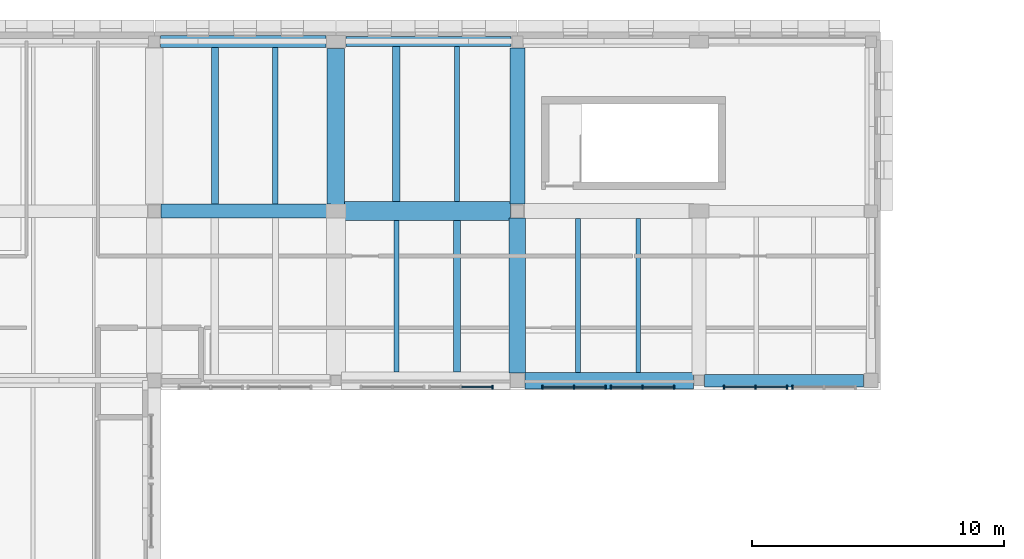
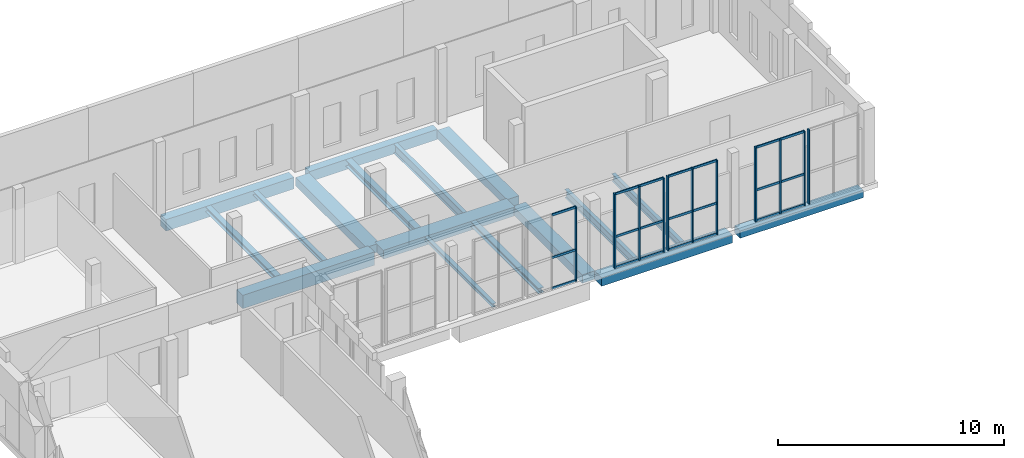
# One storey, part 12 of 34: 32 members, 17 beams, 5 elements without a shape of their own.
"""IFC4 building model written with IfcOpenShell, lengths in metres."""

from ifc_helpers import new_model, si_unit, direction, frame, origin, origin_2d, place, context, subcontext, project, spatial, rectangle, i_section, extrude, material, layer, layer_set, material_profile, profile_set, type_object, element, aggregate, save


model = new_model("IFC4")

# Units and contexts
model_context = context("Model", 3, precision=1e-05, world=origin(), true_north=direction((0.0, 1.0)))
body_context = subcontext(model_context, "Body", "Model", "MODEL_VIEW")
ifc_project = project(units=[si_unit("LENGTHUNIT", "METRE"), si_unit("AREAUNIT", "SQUARE_METRE"), si_unit("VOLUMEUNIT", "CUBIC_METRE"), si_unit("PLANEANGLEUNIT", "RADIAN"), si_unit("MASSUNIT", "GRAM", prefix="KILO")], contexts=[model_context])

# Site, building, storey
site_placement = place(None, origin())
site = spatial("IfcSite", under=ifc_project, at=site_placement, CompositionType="ELEMENT")
building_placement = place(site_placement, origin())
building = spatial("IfcBuilding", under=site, at=building_placement, Name="Vardoun Plaza Health Centre", CompositionType="ELEMENT")
storey_placement = place(building_placement, frame((0.0, 0.0, 12.89990234375)))
storey = spatial("IfcBuildingStorey", under=building, at=storey_placement, Name="L03", CompositionType="ELEMENT", Elevation=12.89990234375)

# Beams
ifc_material_1 = material(Name="Concrete C35/45", Category="concrete")
ifc_material_profile_1 = material_profile(ifc_material_1, rectangle(XDim=0.39990234375, YDim=0.550048828125, at=origin_2d()), Name="RC-BM 400x550")
ifc_profile_set_1 = profile_set([ifc_material_profile_1], Name="Concrete C35/45")
beam_type_1 = type_object("IfcBeamType", Name="B-09", PredefinedType="SPANDREL", material=ifc_profile_set_1)
beam_1_placement = place(storey_placement, frame((26.5, 114.919921875, -0.539794921875), z_axis=(1.0, 0.0, 0.0), x_axis=(0.0, 1.0, 0.0)))
element("IfcBeam", 1, at=beam_1_placement, inside=storey, type_object=beam_type_1, Name="V3 L03 Beam B-V3-L03-X18", PredefinedType="SPANDREL", context=body_context, shape_type="SweptSolid", body=[
    extrude(rectangle(XDim=0.39990234375, YDim=0.550048828125, at=origin_2d()), origin(), (0.0, 0.0, 1.0), 6.550048828125),
])
ifc_material_2 = material(Name="Concrete C35/45", Category="concrete")
ifc_material_profile_2 = material_profile(ifc_material_2, rectangle(XDim=0.47998046875, YDim=0.6201171875, at=origin_2d()), Name="RC-BM 480x620")
ifc_profile_set_2 = profile_set([ifc_material_profile_2], Name="Concrete C35/45")
beam_type_2 = type_object("IfcBeamType", Name="B-12", PredefinedType="SPANDREL", material=ifc_profile_set_2)
beam_2_placement = place(storey_placement, frame((19.14990234375, 114.919921875, -0.574951171875), z_axis=(1.0, 0.0, 0.0), x_axis=(0.0, 1.0, 0.0)))
element("IfcBeam", 2, at=beam_2_placement, inside=storey, type_object=beam_type_2, Name="V3 L03 Beam B-V3-L03-X15", PredefinedType="SPANDREL", context=body_context, shape_type="SweptSolid", body=[
    extrude(rectangle(XDim=0.47998046875, YDim=0.6201171875, at=origin_2d()), origin(), (0.0, 0.0, 1.0), 6.550048828125),
])
ifc_material_3 = material(Name="Concrete C35/45", Category="concrete")
ifc_material_profile_3 = material_profile(ifc_material_3, rectangle(XDim=0.5, YDim=0.39990234375, at=origin_2d()), Name="RC-BM 500x400")
ifc_profile_set_3 = profile_set([ifc_material_profile_3], Name="Concrete C35/45")
beam_type_3 = type_object("IfcBeamType", Name="B-02", PredefinedType="BEAM", material=ifc_profile_set_3)
beam_3_placement = place(storey_placement, frame((40.72509765625, 101.47998046875, -0.46484375), z_axis=(1.0, 0.0, 0.0), x_axis=(0.0, 1.0, 0.0)))
element("IfcBeam", 3, at=beam_3_placement, inside=storey, type_object=beam_type_3, Name="V3 L03 Beam B-V3-L03-X22", PredefinedType="BEAM", context=body_context, shape_type="SweptSolid", body=[
    extrude(rectangle(XDim=0.5, YDim=0.39990234375, at=origin_2d()), origin(), (0.0, 0.0, 1.0), 6.294921875),
])
ifc_material_4 = material(Name="Concrete C40/50", Category="concrete")
ifc_material_profile_4 = material_profile(ifc_material_4, rectangle(XDim=0.550048828125, YDim=0.719970703125, at=origin_2d()), Name="RC-BM 550x720")
ifc_profile_set_4 = profile_set([ifc_material_profile_4], Name="Concrete C40/50")
beam_type_4 = type_object("IfcBeamType", Name="B-14", PredefinedType="BEAM", material=ifc_profile_set_4)
beam_4_placement = place(storey_placement, frame((19.175048828125, 108.199951171875, -0.625), z_axis=(1.0, 0.0, 0.0), x_axis=(0.0, 1.0, 0.0)))
element("IfcBeam", 4, at=beam_4_placement, inside=storey, type_object=beam_type_4, Name="V3 L03 Beam B-V3-L03-X14", PredefinedType="BEAM", context=body_context, shape_type="SweptSolid", body=[
    extrude(rectangle(XDim=0.550048828125, YDim=0.719970703125, at=origin_2d()), origin(), (0.0, 0.0, 1.0), 6.724853515625),
])
ifc_material_5 = material(Name="Concrete C35/45", Category="concrete")
ifc_material_profile_5 = material_profile(ifc_material_5, rectangle(XDim=0.60009765625, YDim=0.449951171875, at=origin_2d()), Name="RC-BM 600x450")
ifc_profile_set_5 = profile_set([ifc_material_profile_5], Name="Concrete C35/45")
beam_type_5 = type_object("IfcBeamType", Name="B-04", PredefinedType="BEAM", material=ifc_profile_set_5)
beam_5_placement = place(storey_placement, frame((33.300048828125, 108.47509765625, -0.489990234375), z_axis=(0.0, 1.0, 0.0), x_axis=(-1.0, 0.0, 0.0)))
element("IfcBeam", 5, at=beam_5_placement, inside=storey, type_object=beam_type_5, Name="V3 L03 Beam B-V3-L03-Y42", PredefinedType="BEAM", context=body_context, shape_type="SweptSolid", body=[
    extrude(rectangle(XDim=0.60009765625, YDim=0.449951171875, at=origin_2d()), origin(), (0.0, 0.0, 1.0), 6.19482421875),
])
ifc_material_6 = material(Name="Concrete C35/45", Category="concrete")
ifc_material_profile_6 = material_profile(ifc_material_6, rectangle(XDim=0.64990234375, YDim=0.449951171875, at=origin_2d()), Name="RC-BM 650x450")
ifc_profile_set_6 = profile_set([ifc_material_profile_6], Name="Concrete C35/45")
beam_type_6 = type_object("IfcBeamType", Name="B-05", PredefinedType="BEAM", material=ifc_profile_set_6)
beam_6_placement = place(storey_placement, frame((33.60009765625, 101.47998046875, -0.489990234375), z_axis=(1.0, 0.0, 0.0), x_axis=(0.0, 1.0, 0.0)))
element("IfcBeam", 6, at=beam_6_placement, inside=storey, type_object=beam_type_6, Name="V3 L03 Beam B-V3-L03-X19", PredefinedType="BEAM", context=body_context, shape_type="SweptSolid", body=[
    extrude(rectangle(XDim=0.64990234375, YDim=0.449951171875, at=origin_2d()), origin(), (0.0, 0.0, 1.0), 6.675048828125),
])
beam_7_placement = place(storey_placement, frame((33.300048828125, 101.780029296875, -0.489990234375), z_axis=(0.0, 1.0, 0.0), x_axis=(-1.0, 0.0, 0.0)))
element("IfcBeam", 7, at=beam_7_placement, inside=storey, type_object=beam_type_6, Name="V3 L03 Beam B-V3-L03-Y41", PredefinedType="BEAM", context=body_context, shape_type="SweptSolid", body=[
    extrude(rectangle(XDim=0.64990234375, YDim=0.449951171875, at=origin_2d()), origin(), (0.0, 0.0, 1.0), 6.14501953125),
])
ifc_material_7 = material(Name="Concrete C35/45", Category="concrete")
ifc_material_profile_7 = material_profile(ifc_material_7, rectangle(XDim=0.699951171875, YDim=0.449951171875, at=origin_2d()), Name="RC-BM 700x450")
ifc_profile_set_7 = profile_set([ifc_material_profile_7], Name="Concrete C35/45")
beam_type_7 = type_object("IfcBeamType", Name="B-06", PredefinedType="BEAM", material=ifc_profile_set_7)
beam_8_placement = place(storey_placement, frame((26.10009765625, 108.400146484375, -0.489990234375), z_axis=(0.0, 1.0, 0.0), x_axis=(-1.0, 0.0, 0.0)))
element("IfcBeam", 8, at=beam_8_placement, inside=storey, type_object=beam_type_7, Name="V3 L03 Beam B-V3-L03-Y40", PredefinedType="BEAM", context=body_context, shape_type="SweptSolid", body=[
    extrude(rectangle(XDim=0.699951171875, YDim=0.449951171875, at=origin_2d()), origin(), (0.0, 0.0, 1.0), 6.244873046875),
])
ifc_material_8 = material(Name="Concrete C35/45", Category="concrete")
ifc_material_profile_8 = material_profile(ifc_material_8, rectangle(XDim=0.75, YDim=0.47998046875, at=origin_2d()), Name="RC-BM 750x480")
ifc_profile_set_8 = profile_set([ifc_material_profile_8], Name="Concrete C35/45")
beam_type_8 = type_object("IfcBeamType", Name="B-07", PredefinedType="BEAM", material=ifc_profile_set_8)
beam_9_placement = place(storey_placement, frame((26.300048828125, 108.199951171875, -0.5048828125), z_axis=(1.0, 0.0, 0.0), x_axis=(0.0, 1.0, 0.0)))
element("IfcBeam", 9, at=beam_9_placement, inside=storey, type_object=beam_type_8, Name="V3 L03 Beam B-V3-L03-X17", PredefinedType="BEAM", context=body_context, shape_type="SweptSolid", body=[
    extrude(rectangle(XDim=0.75, YDim=0.47998046875, at=origin_2d()), origin(), (0.0, 0.0, 1.0), 6.72509765625),
])
ifc_material_9 = material(Name="Steel S355J2", Category="steel")
ifc_material_profile_9 = material_profile(ifc_material_9, i_section(OverallWidth=0.199951171875, OverallDepth=0.18994140625, WebThickness=0.006591796875, FlangeThickness=0.010009765625, FilletRadius=0.01806640625, at=origin_2d()), Name="HEA 200")
ifc_profile_set_9 = profile_set([ifc_material_profile_9], Name="Steel S355J2")
beam_type_9 = type_object("IfcBeamType", Name="SB-09", PredefinedType="BEAM", material=ifc_profile_set_9)
beam_10_placement = place(storey_placement, frame((28.499755859375, 101.830078125, -0.35986328125), z_axis=(0.0, 1.0, 0.0), x_axis=(-1.0, 0.0, 0.0)))
element("IfcBeam", 10, at=beam_10_placement, inside=storey, type_object=beam_type_9, Name="V3 L03 Secondary Floor Beam SJ-V3-L03-21", PredefinedType="BEAM", context=body_context, shape_type="SweptSolid", body=[
    extrude(i_section(OverallWidth=0.199951171875, OverallDepth=0.18994140625, WebThickness=0.006591796875, FlangeThickness=0.010009765625, FilletRadius=0.01806640625, at=origin_2d()), origin(), (0.0, 0.0, 1.0), 5.994873046875),
])
ifc_material_10 = material(Name="Steel S355J2", Category="steel")
ifc_material_profile_10 = material_profile(ifc_material_10, i_section(OverallWidth=0.219970703125, OverallDepth=0.2099609375, WebThickness=0.007080078125, FlangeThickness=0.010986328125, FilletRadius=0.01806640625, at=origin_2d()), Name="HEA 220")
ifc_profile_set_10 = profile_set([ifc_material_profile_10], Name="Steel S355J2")
beam_type_10 = type_object("IfcBeamType", Name="SB-08", PredefinedType="BEAM", material=ifc_profile_set_10)
beam_11_placement = place(storey_placement, frame((23.7001953125, 108.47509765625, -0.369873046875), z_axis=(0.0, 1.0, 0.0), x_axis=(-1.0, 0.0, 0.0)))
element("IfcBeam", 11, at=beam_11_placement, inside=storey, type_object=beam_type_10, Name="V3 L03 Secondary Floor Beam SJ-V3-L03-20", PredefinedType="BEAM", context=body_context, shape_type="SweptSolid", body=[
    extrude(i_section(OverallWidth=0.219970703125, OverallDepth=0.2099609375, WebThickness=0.007080078125, FlangeThickness=0.010986328125, FilletRadius=0.01806640625, at=origin_2d()), origin(), (0.0, 0.0, 1.0), 6.204833984375),
])
ifc_material_11 = material(Name="Steel S355J2", Category="steel")
ifc_material_profile_11 = material_profile(ifc_material_11, i_section(OverallWidth=0.280029296875, OverallDepth=0.27001953125, WebThickness=0.008056640625, FlangeThickness=0.012939453125, FilletRadius=0.02392578125, at=origin_2d()), Name="HEA 280")
ifc_profile_set_11 = profile_set([ifc_material_profile_11], Name="Steel S355J2")
beam_type_11 = type_object("IfcBeamType", Name="SB-06", PredefinedType="BEAM", material=ifc_profile_set_11)
beam_12_placement = place(storey_placement, frame((21.2998046875, 108.47509765625, -0.39990234375), z_axis=(0.0, 1.0, 0.0), x_axis=(-1.0, 0.0, 0.0)))
element("IfcBeam", 12, at=beam_12_placement, inside=storey, type_object=beam_type_11, Name="V3 L03 Secondary Floor Beam SJ-V3-L03-18", PredefinedType="BEAM", context=body_context, shape_type="SweptSolid", body=[
    extrude(i_section(OverallWidth=0.280029296875, OverallDepth=0.27001953125, WebThickness=0.008056640625, FlangeThickness=0.012939453125, FilletRadius=0.02392578125, at=origin_2d()), origin(), (0.0, 0.0, 1.0), 6.204833984375),
])
ifc_material_12 = material(Name="Steel S355J2", Category="steel")
ifc_material_profile_12 = material_profile(ifc_material_12, i_section(OverallWidth=0.280029296875, OverallDepth=0.280029296875, WebThickness=0.010498046875, FlangeThickness=0.01806640625, FilletRadius=0.02392578125, at=origin_2d()), Name="HEB 280")
ifc_profile_set_12 = profile_set([ifc_material_profile_12], Name="Steel S355J2")
beam_type_12 = type_object("IfcBeamType", Name="SB-02", PredefinedType="BEAM", material=ifc_profile_set_12)
beam_13_placement = place(storey_placement, frame((30.900146484375, 101.830078125, -0.40478515625), z_axis=(0.0, 1.0, 0.0), x_axis=(-1.0, 0.0, 0.0)))
element("IfcBeam", 13, at=beam_13_placement, inside=storey, type_object=beam_type_12, Name="V3 L03 Secondary Floor Beam SJ-V3-L03-23", PredefinedType="BEAM", context=body_context, shape_type="SweptSolid", body=[
    extrude(i_section(OverallWidth=0.280029296875, OverallDepth=0.280029296875, WebThickness=0.010498046875, FlangeThickness=0.01806640625, FilletRadius=0.02392578125, at=origin_2d()), origin(), (0.0, 0.0, 1.0), 5.994873046875),
])
ifc_material_13 = material(Name="Steel S355J2", Category="steel")
ifc_material_profile_13 = material_profile(ifc_material_13, i_section(OverallWidth=0.300048828125, OverallDepth=0.360107421875, WebThickness=0.012451171875, FlangeThickness=0.0224609375, FilletRadius=0.027099609375, at=origin_2d()), Name="HEB 360")
ifc_profile_set_13 = profile_set([ifc_material_profile_13], Name="Steel S355J2")
beam_type_13 = type_object("IfcBeamType", Name="RB-04", PredefinedType="BEAM", material=ifc_profile_set_13)
beam_14_placement = place(storey_placement, frame((28.499755859375, 108.574951171875, -0.44482421875), z_axis=(0.0, 1.0, 0.0), x_axis=(-1.0, 0.0, 0.0)))
element("IfcBeam", 14, at=beam_14_placement, inside=storey, type_object=beam_type_13, Name="V3 L03 Secondary Floor Beam SJ-V3-L03-22", PredefinedType="BEAM", context=body_context, shape_type="SweptSolid", body=[
    extrude(i_section(OverallWidth=0.300048828125, OverallDepth=0.360107421875, WebThickness=0.012451171875, FlangeThickness=0.0224609375, FilletRadius=0.027099609375, at=origin_2d()), origin(), (0.0, 0.0, 1.0), 6.14501953125),
])
ifc_material_14 = material(Name="Steel S355J2", Category="steel")
ifc_material_profile_14 = material_profile(ifc_material_14, i_section(OverallWidth=0.179931640625, OverallDepth=0.39990234375, WebThickness=0.008544921875, FlangeThickness=0.013427734375, FilletRadius=0.02099609375, at=origin_2d()), Name="IPE 400")
ifc_profile_set_14 = profile_set([ifc_material_profile_14], Name="Steel S355J2")
beam_type_14 = type_object("IfcBeamType", Name="SB-12", PredefinedType="BEAM", material=ifc_profile_set_14)
beam_15_placement = place(storey_placement, frame((38.10009765625, 101.804931640625, -0.46484375), z_axis=(0.0, 1.0, 0.0), x_axis=(-1.0, 0.0, 0.0)))
element("IfcBeam", 15, at=beam_15_placement, inside=storey, type_object=beam_type_14, Name="V3 L03 Secondary Floor Beam SJ-V3-L03-26", PredefinedType="BEAM", context=body_context, shape_type="SweptSolid", body=[
    extrude(i_section(OverallWidth=0.179931640625, OverallDepth=0.39990234375, WebThickness=0.008544921875, FlangeThickness=0.013427734375, FilletRadius=0.02099609375, at=origin_2d()), origin(), (0.0, 0.0, 1.0), 6.09521484375),
])
ifc_material_15 = material(Name="Steel S355J2", Category="steel")
ifc_material_profile_15 = material_profile(ifc_material_15, i_section(OverallWidth=0.18994140625, OverallDepth=0.449951171875, WebThickness=0.009521484375, FlangeThickness=0.0146484375, FilletRadius=0.02099609375, at=origin_2d()), Name="IPE 450")
ifc_profile_set_15 = profile_set([ifc_material_profile_15], Name="Steel S355J2")
beam_type_15 = type_object("IfcBeamType", Name="SB-11", PredefinedType="BEAM", material=ifc_profile_set_15)
beam_16_placement = place(storey_placement, frame((35.69970703125, 101.804931640625, -0.489990234375), z_axis=(0.0, 1.0, 0.0), x_axis=(-1.0, 0.0, 0.0)))
element("IfcBeam", 16, at=beam_16_placement, inside=storey, type_object=beam_type_15, Name="V3 L03 Secondary Floor Beam SJ-V3-L03-25", PredefinedType="BEAM", context=body_context, shape_type="SweptSolid", body=[
    extrude(i_section(OverallWidth=0.18994140625, OverallDepth=0.449951171875, WebThickness=0.009521484375, FlangeThickness=0.0146484375, FilletRadius=0.02099609375, at=origin_2d()), origin(), (0.0, 0.0, 1.0), 6.09521484375),
])
ifc_material_16 = material(Name="Steel S355J2", Category="steel")
ifc_material_profile_16 = material_profile(ifc_material_16, i_section(OverallWidth=0.199951171875, OverallDepth=0.5, WebThickness=0.01025390625, FlangeThickness=0.01611328125, FilletRadius=0.02099609375, at=origin_2d()), Name="IPE 500")
ifc_profile_set_16 = profile_set([ifc_material_profile_16], Name="Steel S355J2")
beam_type_16 = type_object("IfcBeamType", Name="SB-10", PredefinedType="BEAM", material=ifc_profile_set_16)
beam_17_placement = place(storey_placement, frame((30.900146484375, 108.574951171875, -0.514892578125), z_axis=(0.0, 1.0, 0.0), x_axis=(-1.0, 0.0, 0.0)))
element("IfcBeam", 17, at=beam_17_placement, inside=storey, type_object=beam_type_16, Name="V3 L03 Secondary Floor Beam SJ-V3-L03-24", PredefinedType="BEAM", context=body_context, shape_type="SweptSolid", body=[
    extrude(i_section(OverallWidth=0.199951171875, OverallDepth=0.5, WebThickness=0.01025390625, FlangeThickness=0.01611328125, FilletRadius=0.02099609375, at=origin_2d()), origin(), (0.0, 0.0, 1.0), 6.14501953125),
])

# Curtain wall, member
ifc_material_17 = material(Name="Aluminium Alloy EN AW-6063-T6 and Low-E Glass", Category="aluminium")
ifc_layer = layer(ifc_material_17, 0.159912109375)
ifc_layer_set = layer_set([ifc_layer], Name="Aluminium Alloy EN AW-6063-T6 and Low-E Glass")
curtain_wall_type = type_object("IfcCurtainWallType", Name="CW-02", PredefinedType="USERDEFINED", material=ifc_layer_set)
curtain_wall_1_placement = place(storey_placement, origin())
curtain_wall_1 = element("IfcCurtainWall", 18, at=curtain_wall_1_placement, inside=storey, type_object=curtain_wall_type, Name="Curtain Wall CW-V3-087", ObjectType="COURTYARD_CURTAIN_WALL", PredefinedType="USERDEFINED")
ifc_material_18 = material(Name="Aluminium Alloy EN AW-6063-T6", Category="aluminium")
ifc_material_profile_17 = material_profile(ifc_material_18, rectangle(XDim=0.159912109375, YDim=0.06005859375, at=origin_2d()), Name="CWM 60x160")
ifc_profile_set_17 = profile_set([ifc_material_profile_17], Name="Aluminium Alloy EN AW-6063-T6")
member_type_1 = type_object("IfcMemberType", Name="CW-M1", PredefinedType="MULLION", material=ifc_profile_set_17)
member_1_placement = place(storey_placement, frame((44.2099609375, 101.219970703125, 0.0), z_axis=(0.0, 0.0, 1.0), x_axis=(0.0, -1.0, 0.0)))
member_1 = element("IfcMember", 19, at=member_1_placement, type_object=member_type_1, Name="CW-V3-087 mullion 3", PredefinedType="MULLION", context=body_context, shape_type="SweptSolid", body=[
    extrude(rectangle(XDim=0.159912109375, YDim=0.06005859375, at=origin_2d()), origin(), (0.0, 0.0, 1.0), 4.01513671875),
])
aggregate(curtain_wall_1, [member_1])

# Curtain wall, members
curtain_wall_2_placement = place(storey_placement, origin())
curtain_wall_2 = element("IfcCurtainWall", 20, at=curtain_wall_2_placement, inside=storey, type_object=curtain_wall_type, Name="Curtain Wall CW-V3-088", ObjectType="COURTYARD_CURTAIN_WALL", PredefinedType="USERDEFINED")
member_2_placement = place(storey_placement, frame((43.989990234375, 101.219970703125, 0.0), z_axis=(0.0, 0.0, 1.0), x_axis=(0.0, -1.0, 0.0)))
member_2 = element("IfcMember", 21, at=member_2_placement, type_object=member_type_1, Name="CW-V3-088 mullion 1", PredefinedType="MULLION", context=body_context, shape_type="SweptSolid", body=[
    extrude(rectangle(XDim=0.159912109375, YDim=0.06005859375, at=origin_2d()), origin(), (0.0, 0.0, 1.0), 4.01513671875),
])
member_3_placement = place(storey_placement, frame((42.739990234375, 101.219970703125, 0.0), z_axis=(0.0, 0.0, 1.0), x_axis=(0.0, -1.0, 0.0)))
member_3 = element("IfcMember", 22, at=member_3_placement, type_object=member_type_1, Name="CW-V3-088 mullion 2", PredefinedType="MULLION", context=body_context, shape_type="SweptSolid", body=[
    extrude(rectangle(XDim=0.159912109375, YDim=0.06005859375, at=origin_2d()), origin(), (0.0, 0.0, 1.0), 4.01513671875),
])
member_4_placement = place(storey_placement, frame((41.489990234375, 101.219970703125, 0.0), z_axis=(0.0, 0.0, 1.0), x_axis=(0.0, -1.0, 0.0)))
member_4 = element("IfcMember", 23, at=member_4_placement, type_object=member_type_1, Name="CW-V3-088 mullion 3", PredefinedType="MULLION", context=body_context, shape_type="SweptSolid", body=[
    extrude(rectangle(XDim=0.159912109375, YDim=0.06005859375, at=origin_2d()), origin(), (0.0, 0.0, 1.0), 4.01513671875),
])

curtain_wall_3_placement = place(storey_placement, origin())
curtain_wall_3 = element("IfcCurtainWall", 24, at=curtain_wall_3_placement, inside=storey, type_object=curtain_wall_type, Name="Curtain Wall CW-V3-089", ObjectType="COURTYARD_CURTAIN_WALL", PredefinedType="USERDEFINED")
member_5_placement = place(storey_placement, frame((39.510009765625, 101.219970703125, 0.0), z_axis=(0.0, 0.0, 1.0), x_axis=(0.0, -1.0, 0.0)))
member_5 = element("IfcMember", 25, at=member_5_placement, type_object=member_type_1, Name="CW-V3-089 mullion 1", PredefinedType="MULLION", context=body_context, shape_type="SweptSolid", body=[
    extrude(rectangle(XDim=0.159912109375, YDim=0.06005859375, at=origin_2d()), origin(), (0.0, 0.0, 1.0), 4.01513671875),
])
member_6_placement = place(storey_placement, frame((38.260009765625, 101.219970703125, 0.0), z_axis=(0.0, 0.0, 1.0), x_axis=(0.0, -1.0, 0.0)))
member_6 = element("IfcMember", 26, at=member_6_placement, type_object=member_type_1, Name="CW-V3-089 mullion 2", PredefinedType="MULLION", context=body_context, shape_type="SweptSolid", body=[
    extrude(rectangle(XDim=0.159912109375, YDim=0.06005859375, at=origin_2d()), origin(), (0.0, 0.0, 1.0), 4.01513671875),
])
member_7_placement = place(storey_placement, frame((37.010009765625, 101.219970703125, 0.0), z_axis=(0.0, 0.0, 1.0), x_axis=(0.0, -1.0, 0.0)))
member_7 = element("IfcMember", 27, at=member_7_placement, type_object=member_type_1, Name="CW-V3-089 mullion 3", PredefinedType="MULLION", context=body_context, shape_type="SweptSolid", body=[
    extrude(rectangle(XDim=0.159912109375, YDim=0.06005859375, at=origin_2d()), origin(), (0.0, 0.0, 1.0), 4.01513671875),
])

curtain_wall_4_placement = place(storey_placement, origin())
curtain_wall_4 = element("IfcCurtainWall", 28, at=curtain_wall_4_placement, inside=storey, type_object=curtain_wall_type, Name="Curtain Wall CW-V3-090", ObjectType="COURTYARD_CURTAIN_WALL", PredefinedType="USERDEFINED")
member_8_placement = place(storey_placement, frame((36.7900390625, 101.219970703125, 0.0), z_axis=(0.0, 0.0, 1.0), x_axis=(0.0, -1.0, 0.0)))
member_8 = element("IfcMember", 29, at=member_8_placement, type_object=member_type_1, Name="CW-V3-090 mullion 1", PredefinedType="MULLION", context=body_context, shape_type="SweptSolid", body=[
    extrude(rectangle(XDim=0.159912109375, YDim=0.06005859375, at=origin_2d()), origin(), (0.0, 0.0, 1.0), 4.01513671875),
])
member_9_placement = place(storey_placement, frame((35.5400390625, 101.219970703125, 0.0), z_axis=(0.0, 0.0, 1.0), x_axis=(0.0, -1.0, 0.0)))
member_9 = element("IfcMember", 30, at=member_9_placement, type_object=member_type_1, Name="CW-V3-090 mullion 2", PredefinedType="MULLION", context=body_context, shape_type="SweptSolid", body=[
    extrude(rectangle(XDim=0.159912109375, YDim=0.06005859375, at=origin_2d()), origin(), (0.0, 0.0, 1.0), 4.01513671875),
])
member_10_placement = place(storey_placement, frame((34.2900390625, 101.219970703125, 0.0), z_axis=(0.0, 0.0, 1.0), x_axis=(0.0, -1.0, 0.0)))
member_10 = element("IfcMember", 31, at=member_10_placement, type_object=member_type_1, Name="CW-V3-090 mullion 3", PredefinedType="MULLION", context=body_context, shape_type="SweptSolid", body=[
    extrude(rectangle(XDim=0.159912109375, YDim=0.06005859375, at=origin_2d()), origin(), (0.0, 0.0, 1.0), 4.01513671875),
])

# Curtain wall, member
curtain_wall_5_placement = place(storey_placement, origin())
curtain_wall_5 = element("IfcCurtainWall", 32, at=curtain_wall_5_placement, inside=storey, type_object=curtain_wall_type, Name="Curtain Wall CW-V3-091", ObjectType="COURTYARD_CURTAIN_WALL", PredefinedType="USERDEFINED")
member_11_placement = place(storey_placement, frame((32.31005859375, 101.219970703125, 0.0), z_axis=(0.0, 0.0, 1.0), x_axis=(0.0, -1.0, 0.0)))
member_11 = element("IfcMember", 33, at=member_11_placement, type_object=member_type_1, Name="CW-V3-091 mullion 1", PredefinedType="MULLION", context=body_context, shape_type="SweptSolid", body=[
    extrude(rectangle(XDim=0.159912109375, YDim=0.06005859375, at=origin_2d()), origin(), (0.0, 0.0, 1.0), 4.01513671875),
])

# Member
ifc_material_19 = material(Name="Aluminium Alloy EN AW-6063-T6", Category="aluminium")
ifc_material_profile_18 = material_profile(ifc_material_19, rectangle(XDim=0.06005859375, YDim=0.1201171875, at=origin_2d()), Name="CWT 60x120")
ifc_profile_set_18 = profile_set([ifc_material_profile_18], Name="Aluminium Alloy EN AW-6063-T6")
member_type_2 = type_object("IfcMemberType", Name="CW-T1", PredefinedType="USERDEFINED", material=ifc_profile_set_18)
member_12_placement = place(storey_placement, frame((43.9599609375, 101.219970703125, 0.030029296875), z_axis=(-1.0, 0.0, 0.0), x_axis=(0.0, -1.0, 0.0)))
member_12 = element("IfcMember", 34, at=member_12_placement, type_object=member_type_2, Name="CW-V3-088 transom 1.1", ObjectType="TRANSOM", PredefinedType="USERDEFINED", context=body_context, shape_type="SweptSolid", body=[
    extrude(rectangle(XDim=0.06005859375, YDim=0.1201171875, at=origin_2d()), origin(), (0.0, 0.0, 1.0), 1.18994140625),
])

member_13_placement = place(storey_placement, frame((43.9599609375, 101.219970703125, 1.686279296875), z_axis=(-1.0, 0.0, 0.0), x_axis=(0.0, -1.0, 0.0)))
member_13 = element("IfcMember", 35, at=member_13_placement, type_object=member_type_2, Name="CW-V3-088 transom 1.2", ObjectType="TRANSOM", PredefinedType="USERDEFINED", context=body_context, shape_type="SweptSolid", body=[
    extrude(rectangle(XDim=0.06005859375, YDim=0.1201171875, at=origin_2d()), origin(), (0.0, 0.0, 1.0), 1.18994140625),
])

member_14_placement = place(storey_placement, frame((43.9599609375, 101.219970703125, 3.985107421875), z_axis=(-1.0, 0.0, 0.0), x_axis=(0.0, -1.0, 0.0)))
member_14 = element("IfcMember", 36, at=member_14_placement, type_object=member_type_2, Name="CW-V3-088 transom 1.3", ObjectType="TRANSOM", PredefinedType="USERDEFINED", context=body_context, shape_type="SweptSolid", body=[
    extrude(rectangle(XDim=0.06005859375, YDim=0.1201171875, at=origin_2d()), origin(), (0.0, 0.0, 1.0), 1.18994140625),
])

member_15_placement = place(storey_placement, frame((42.7099609375, 101.219970703125, 0.030029296875), z_axis=(-1.0, 0.0, 0.0), x_axis=(0.0, -1.0, 0.0)))
member_15 = element("IfcMember", 37, at=member_15_placement, type_object=member_type_2, Name="CW-V3-088 transom 2.1", ObjectType="TRANSOM", PredefinedType="USERDEFINED", context=body_context, shape_type="SweptSolid", body=[
    extrude(rectangle(XDim=0.06005859375, YDim=0.1201171875, at=origin_2d()), origin(), (0.0, 0.0, 1.0), 1.18994140625),
])

member_16_placement = place(storey_placement, frame((42.7099609375, 101.219970703125, 1.686279296875), z_axis=(-1.0, 0.0, 0.0), x_axis=(0.0, -1.0, 0.0)))
member_16 = element("IfcMember", 38, at=member_16_placement, type_object=member_type_2, Name="CW-V3-088 transom 2.2", ObjectType="TRANSOM", PredefinedType="USERDEFINED", context=body_context, shape_type="SweptSolid", body=[
    extrude(rectangle(XDim=0.06005859375, YDim=0.1201171875, at=origin_2d()), origin(), (0.0, 0.0, 1.0), 1.18994140625),
])

member_17_placement = place(storey_placement, frame((42.7099609375, 101.219970703125, 3.985107421875), z_axis=(-1.0, 0.0, 0.0), x_axis=(0.0, -1.0, 0.0)))
member_17 = element("IfcMember", 39, at=member_17_placement, type_object=member_type_2, Name="CW-V3-088 transom 2.3", ObjectType="TRANSOM", PredefinedType="USERDEFINED", context=body_context, shape_type="SweptSolid", body=[
    extrude(rectangle(XDim=0.06005859375, YDim=0.1201171875, at=origin_2d()), origin(), (0.0, 0.0, 1.0), 1.18994140625),
])

aggregate(curtain_wall_2, [member_2, member_3, member_4, member_12, member_13, member_14, member_15, member_16, member_17])

member_18_placement = place(storey_placement, frame((39.47998046875, 101.219970703125, 0.030029296875), z_axis=(-1.0, 0.0, 0.0), x_axis=(0.0, -1.0, 0.0)))
member_18 = element("IfcMember", 40, at=member_18_placement, type_object=member_type_2, Name="CW-V3-089 transom 1.1", ObjectType="TRANSOM", PredefinedType="USERDEFINED", context=body_context, shape_type="SweptSolid", body=[
    extrude(rectangle(XDim=0.06005859375, YDim=0.1201171875, at=origin_2d()), origin(), (0.0, 0.0, 1.0), 1.18994140625),
])

member_19_placement = place(storey_placement, frame((39.47998046875, 101.219970703125, 1.686279296875), z_axis=(-1.0, 0.0, 0.0), x_axis=(0.0, -1.0, 0.0)))
member_19 = element("IfcMember", 41, at=member_19_placement, type_object=member_type_2, Name="CW-V3-089 transom 1.2", ObjectType="TRANSOM", PredefinedType="USERDEFINED", context=body_context, shape_type="SweptSolid", body=[
    extrude(rectangle(XDim=0.06005859375, YDim=0.1201171875, at=origin_2d()), origin(), (0.0, 0.0, 1.0), 1.18994140625),
])

member_20_placement = place(storey_placement, frame((39.47998046875, 101.219970703125, 3.985107421875), z_axis=(-1.0, 0.0, 0.0), x_axis=(0.0, -1.0, 0.0)))
member_20 = element("IfcMember", 42, at=member_20_placement, type_object=member_type_2, Name="CW-V3-089 transom 1.3", ObjectType="TRANSOM", PredefinedType="USERDEFINED", context=body_context, shape_type="SweptSolid", body=[
    extrude(rectangle(XDim=0.06005859375, YDim=0.1201171875, at=origin_2d()), origin(), (0.0, 0.0, 1.0), 1.18994140625),
])

member_21_placement = place(storey_placement, frame((38.22998046875, 101.219970703125, 0.030029296875), z_axis=(-1.0, 0.0, 0.0), x_axis=(0.0, -1.0, 0.0)))
member_21 = element("IfcMember", 43, at=member_21_placement, type_object=member_type_2, Name="CW-V3-089 transom 2.1", ObjectType="TRANSOM", PredefinedType="USERDEFINED", context=body_context, shape_type="SweptSolid", body=[
    extrude(rectangle(XDim=0.06005859375, YDim=0.1201171875, at=origin_2d()), origin(), (0.0, 0.0, 1.0), 1.18994140625),
])

member_22_placement = place(storey_placement, frame((38.22998046875, 101.219970703125, 1.686279296875), z_axis=(-1.0, 0.0, 0.0), x_axis=(0.0, -1.0, 0.0)))
member_22 = element("IfcMember", 44, at=member_22_placement, type_object=member_type_2, Name="CW-V3-089 transom 2.2", ObjectType="TRANSOM", PredefinedType="USERDEFINED", context=body_context, shape_type="SweptSolid", body=[
    extrude(rectangle(XDim=0.06005859375, YDim=0.1201171875, at=origin_2d()), origin(), (0.0, 0.0, 1.0), 1.18994140625),
])

member_23_placement = place(storey_placement, frame((38.22998046875, 101.219970703125, 3.985107421875), z_axis=(-1.0, 0.0, 0.0), x_axis=(0.0, -1.0, 0.0)))
member_23 = element("IfcMember", 45, at=member_23_placement, type_object=member_type_2, Name="CW-V3-089 transom 2.3", ObjectType="TRANSOM", PredefinedType="USERDEFINED", context=body_context, shape_type="SweptSolid", body=[
    extrude(rectangle(XDim=0.06005859375, YDim=0.1201171875, at=origin_2d()), origin(), (0.0, 0.0, 1.0), 1.18994140625),
])

aggregate(curtain_wall_3, [member_5, member_6, member_7, member_18, member_19, member_20, member_21, member_22, member_23])

member_24_placement = place(storey_placement, frame((36.760009765625, 101.219970703125, 0.030029296875), z_axis=(-1.0, 0.0, 0.0), x_axis=(0.0, -1.0, 0.0)))
member_24 = element("IfcMember", 46, at=member_24_placement, type_object=member_type_2, Name="CW-V3-090 transom 1.1", ObjectType="TRANSOM", PredefinedType="USERDEFINED", context=body_context, shape_type="SweptSolid", body=[
    extrude(rectangle(XDim=0.06005859375, YDim=0.1201171875, at=origin_2d()), origin(), (0.0, 0.0, 1.0), 1.18994140625),
])

member_25_placement = place(storey_placement, frame((36.760009765625, 101.219970703125, 1.686279296875), z_axis=(-1.0, 0.0, 0.0), x_axis=(0.0, -1.0, 0.0)))
member_25 = element("IfcMember", 47, at=member_25_placement, type_object=member_type_2, Name="CW-V3-090 transom 1.2", ObjectType="TRANSOM", PredefinedType="USERDEFINED", context=body_context, shape_type="SweptSolid", body=[
    extrude(rectangle(XDim=0.06005859375, YDim=0.1201171875, at=origin_2d()), origin(), (0.0, 0.0, 1.0), 1.18994140625),
])

member_26_placement = place(storey_placement, frame((36.760009765625, 101.219970703125, 3.985107421875), z_axis=(-1.0, 0.0, 0.0), x_axis=(0.0, -1.0, 0.0)))
member_26 = element("IfcMember", 48, at=member_26_placement, type_object=member_type_2, Name="CW-V3-090 transom 1.3", ObjectType="TRANSOM", PredefinedType="USERDEFINED", context=body_context, shape_type="SweptSolid", body=[
    extrude(rectangle(XDim=0.06005859375, YDim=0.1201171875, at=origin_2d()), origin(), (0.0, 0.0, 1.0), 1.18994140625),
])

member_27_placement = place(storey_placement, frame((35.510009765625, 101.219970703125, 0.030029296875), z_axis=(-1.0, 0.0, 0.0), x_axis=(0.0, -1.0, 0.0)))
member_27 = element("IfcMember", 49, at=member_27_placement, type_object=member_type_2, Name="CW-V3-090 transom 2.1", ObjectType="TRANSOM", PredefinedType="USERDEFINED", context=body_context, shape_type="SweptSolid", body=[
    extrude(rectangle(XDim=0.06005859375, YDim=0.1201171875, at=origin_2d()), origin(), (0.0, 0.0, 1.0), 1.18994140625),
])

member_28_placement = place(storey_placement, frame((35.510009765625, 101.219970703125, 1.686279296875), z_axis=(-1.0, 0.0, 0.0), x_axis=(0.0, -1.0, 0.0)))
member_28 = element("IfcMember", 50, at=member_28_placement, type_object=member_type_2, Name="CW-V3-090 transom 2.2", ObjectType="TRANSOM", PredefinedType="USERDEFINED", context=body_context, shape_type="SweptSolid", body=[
    extrude(rectangle(XDim=0.06005859375, YDim=0.1201171875, at=origin_2d()), origin(), (0.0, 0.0, 1.0), 1.18994140625),
])

member_29_placement = place(storey_placement, frame((35.510009765625, 101.219970703125, 3.985107421875), z_axis=(-1.0, 0.0, 0.0), x_axis=(0.0, -1.0, 0.0)))
member_29 = element("IfcMember", 51, at=member_29_placement, type_object=member_type_2, Name="CW-V3-090 transom 2.3", ObjectType="TRANSOM", PredefinedType="USERDEFINED", context=body_context, shape_type="SweptSolid", body=[
    extrude(rectangle(XDim=0.06005859375, YDim=0.1201171875, at=origin_2d()), origin(), (0.0, 0.0, 1.0), 1.18994140625),
])

aggregate(curtain_wall_4, [member_8, member_9, member_10, member_24, member_25, member_26, member_27, member_28, member_29])

member_30_placement = place(storey_placement, frame((32.280029296875, 101.219970703125, 0.030029296875), z_axis=(-1.0, 0.0, 0.0), x_axis=(0.0, -1.0, 0.0)))
member_30 = element("IfcMember", 52, at=member_30_placement, type_object=member_type_2, Name="CW-V3-091 transom 1.1", ObjectType="TRANSOM", PredefinedType="USERDEFINED", context=body_context, shape_type="SweptSolid", body=[
    extrude(rectangle(XDim=0.06005859375, YDim=0.1201171875, at=origin_2d()), origin(), (0.0, 0.0, 1.0), 1.18994140625),
])

member_31_placement = place(storey_placement, frame((32.280029296875, 101.219970703125, 1.686279296875), z_axis=(-1.0, 0.0, 0.0), x_axis=(0.0, -1.0, 0.0)))
member_31 = element("IfcMember", 53, at=member_31_placement, type_object=member_type_2, Name="CW-V3-091 transom 1.2", ObjectType="TRANSOM", PredefinedType="USERDEFINED", context=body_context, shape_type="SweptSolid", body=[
    extrude(rectangle(XDim=0.06005859375, YDim=0.1201171875, at=origin_2d()), origin(), (0.0, 0.0, 1.0), 1.18994140625),
])

member_32_placement = place(storey_placement, frame((32.280029296875, 101.219970703125, 3.985107421875), z_axis=(-1.0, 0.0, 0.0), x_axis=(0.0, -1.0, 0.0)))
member_32 = element("IfcMember", 54, at=member_32_placement, type_object=member_type_2, Name="CW-V3-091 transom 1.3", ObjectType="TRANSOM", PredefinedType="USERDEFINED", context=body_context, shape_type="SweptSolid", body=[
    extrude(rectangle(XDim=0.06005859375, YDim=0.1201171875, at=origin_2d()), origin(), (0.0, 0.0, 1.0), 1.18994140625),
])

aggregate(curtain_wall_5, [member_11, member_30, member_31, member_32])

save(model, "model.ifc")
